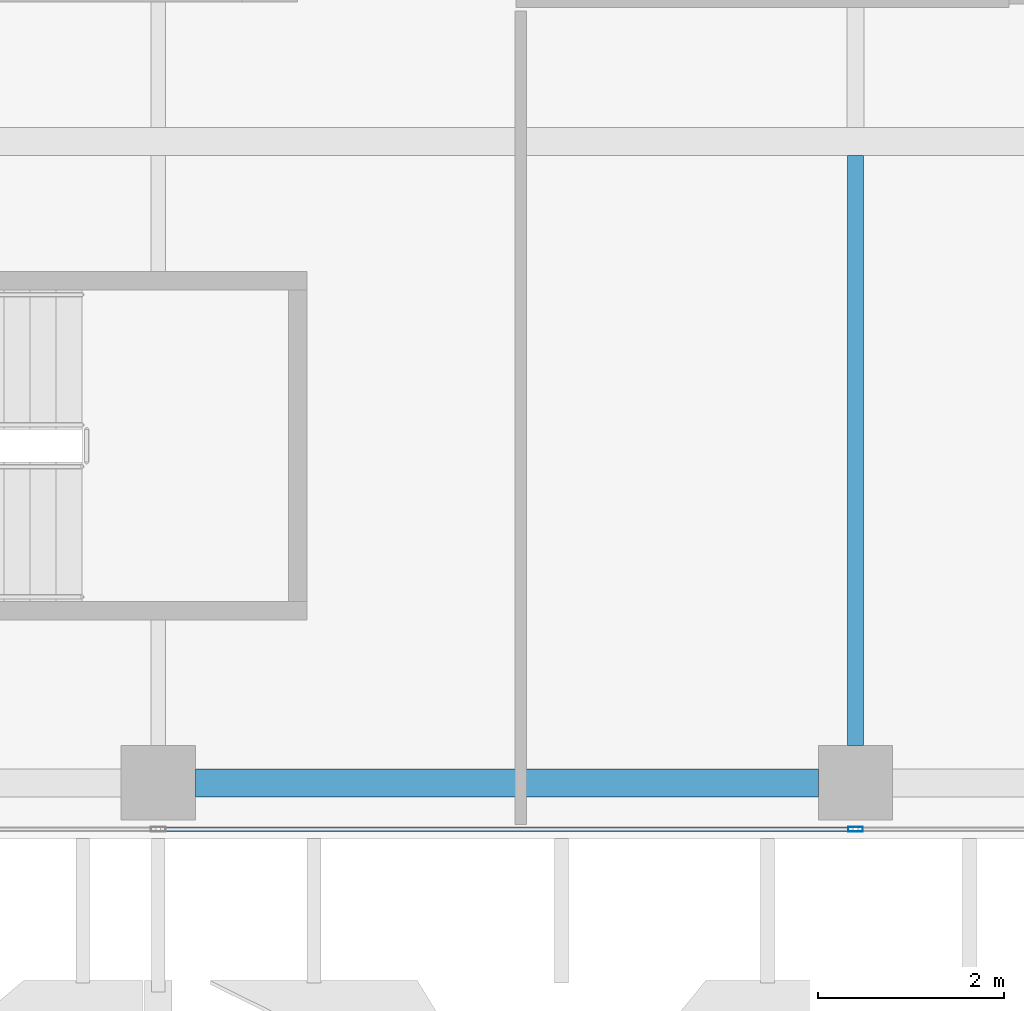
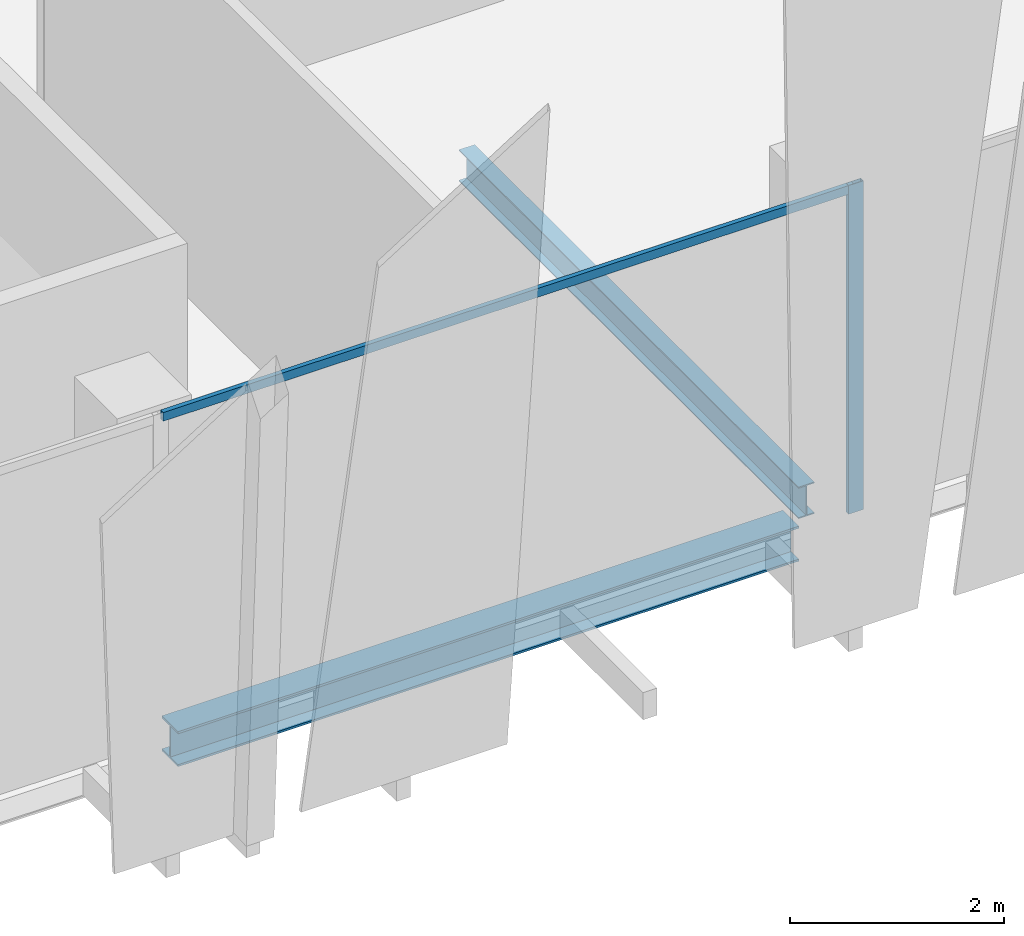
# One storey, part 5 of 33: 2 beams, 2 members, 1 element without a shape of its own.
"""IFC4 building model written with IfcOpenShell, lengths in metres."""

from ifc_helpers import new_model, si_unit, direction, frame, origin, origin_2d, place, context, subcontext, project, spatial, hollow_rectangle, i_section, extrude, source, transform, mapped, material, material_profile, profile_set, type_object, element, aggregate, save


model = new_model("IFC4")

# Units and contexts
model_context = context("Model", 3, precision=1e-05, world=origin(), true_north=direction((0.0, 1.0)))
body_context = subcontext(model_context, "Body", "Model", "MODEL_VIEW")
ifc_project = project(units=[si_unit("LENGTHUNIT", "METRE"), si_unit("AREAUNIT", "SQUARE_METRE"), si_unit("VOLUMEUNIT", "CUBIC_METRE"), si_unit("PLANEANGLEUNIT", "RADIAN"), si_unit("MASSUNIT", "GRAM", prefix="KILO")], contexts=[model_context])

# Site, building, storey
site_placement = place(None, origin())
site = spatial("IfcSite", under=ifc_project, at=site_placement, CompositionType="ELEMENT")
building_placement = place(site_placement, origin())
building = spatial("IfcBuilding", under=site, at=building_placement, Name="Khomas Fold Tower", CompositionType="ELEMENT")
storey_placement = place(building_placement, frame((0.0, 0.0, 294.199951171875)))
storey = spatial("IfcBuildingStorey", under=building, at=storey_placement, Name="L66", CompositionType="ELEMENT", Elevation=294.199951171875)

# Beams
ifc_material_1 = material(Name="Steel S355", Category="steel")
ifc_material_profile_1 = material_profile(ifc_material_1, i_section(OverallWidth=0.300048828125, OverallDepth=0.39990234375, WebThickness=0.013427734375, FlangeThickness=0.02392578125, at=origin_2d()), Name="HE 400 B")
ifc_profile_set_1 = profile_set([ifc_material_profile_1], Name="Steel S355")
beam_type_1 = type_object("IfcBeamType", Name="HE 400 B spandrel SB5", PredefinedType="SPANDREL", material=ifc_profile_set_1)
shared_shape_1 = source(origin(), body_context, "Body", "SweptSolid", [
    extrude(i_section(OverallWidth=0.300048828125, OverallDepth=0.39990234375, WebThickness=0.013427734375, FlangeThickness=0.02392578125, at=origin_2d()), origin(), (0.0, 0.0, 1.0), 6.7001953125),
])
beam_1_placement = place(storey_placement, frame((19.89990234375, 6.60009765625, -0.449951171875), z_axis=(1.0, 0.0, 0.0), x_axis=(0.0, 1.0, 0.0)))
element("IfcBeam", 1, at=beam_1_placement, inside=storey, type_object=beam_type_1, Name="SB5", PredefinedType="SPANDREL", context=body_context, shape_type="MappedRepresentation", body=[
    mapped(shared_shape_1, transform((0.0, 0.0, 0.0))),
])
ifc_material_2 = material(Name="Steel S355", Category="steel")
ifc_material_profile_2 = material_profile(ifc_material_2, i_section(OverallWidth=0.169921875, OverallDepth=0.360107421875, WebThickness=0.008056640625, FlangeThickness=0.0126953125, at=origin_2d()), Name="IPE 360")
ifc_profile_set_2 = profile_set([ifc_material_profile_2], Name="Steel S355")
beam_type_2 = type_object("IfcBeamType", Name="IPE 360 beam JB2", PredefinedType="BEAM", material=ifc_profile_set_2)
shared_shape_2 = source(origin(), body_context, "Body", "SweptSolid", [
    extrude(i_section(OverallWidth=0.169921875, OverallDepth=0.360107421875, WebThickness=0.008056640625, FlangeThickness=0.0126953125, at=origin_2d()), origin(), (0.0, 0.0, 1.0), 6.35009765625),
])
beam_2_placement = place(storey_placement, frame((27.0, 7.0, -0.429931640625), z_axis=(0.0, 1.0, 0.0), x_axis=(-1.0, 0.0, 0.0)))
element("IfcBeam", 2, at=beam_2_placement, inside=storey, type_object=beam_type_2, Name="JB2", PredefinedType="BEAM", context=body_context, shape_type="MappedRepresentation", body=[
    mapped(shared_shape_2, transform((0.0, 0.0, 0.0))),
])

# Curtain wall, members
ifc_material_3 = material(Name="Aluminium framed double glazing", Category="aluminium")
curtain_wall_type = type_object("IfcCurtainWallType", Name="SK-Unitised clear-glass wall, upper floors CW3", PredefinedType="NOTDEFINED", material=ifc_material_3)
curtain_wall_placement = place(storey_placement, origin())
curtain_wall = element("IfcCurtainWall", 3, at=curtain_wall_placement, inside=storey, type_object=curtain_wall_type, Name="CW3 run L66 00-0", PredefinedType="NOTDEFINED")
ifc_material_4 = material(Name="Aluminium", Category="aluminium")
ifc_material_profile_3 = material_profile(ifc_material_4, hollow_rectangle(XDim=0.050048828125, YDim=0.159912109375, WallThickness=0.00390625, at=origin_2d()), Name="SK-Unitised clear-glass wall, upper floors mullion CW3-M")
ifc_profile_set_3 = profile_set([ifc_material_profile_3], Name="Aluminium")
member_type_1 = type_object("IfcMemberType", Name="SK-Unitised clear-glass wall, upper floors mullion CW3-M", PredefinedType="MULLION", material=ifc_profile_set_3)
shared_shape_3 = source(origin(), body_context, "Body", "SweptSolid", [
    extrude(hollow_rectangle(XDim=0.050048828125, YDim=0.159912109375, WallThickness=0.00390625, at=origin_2d()), origin(), (0.0, 0.0, 1.0), 3.75),
])
member_1_placement = place(storey_placement, frame((27.0, 6.10009765625, 0.0), z_axis=(0.0, 0.0, 1.0), x_axis=(0.0, 1.0, 0.0)))
member_1 = element("IfcMember", 4, at=member_1_placement, type_object=member_type_1, Name="CW3 mullion 4", PredefinedType="MULLION", context=body_context, shape_type="MappedRepresentation", body=[
    mapped(shared_shape_3, transform((0.0, 0.0, 0.0))),
])
ifc_material_5 = material(Name="Aluminium", Category="aluminium")
ifc_material_profile_4 = material_profile(ifc_material_5, hollow_rectangle(XDim=0.050048828125, YDim=0.10009765625, WallThickness=0.00390625, at=origin_2d()), Name="SK-Unitised clear-glass wall, upper floors transom CW3-T")
ifc_profile_set_4 = profile_set([ifc_material_profile_4], Name="Aluminium")
member_type_2 = type_object("IfcMemberType", Name="SK-Unitised clear-glass wall, upper floors transom CW3-T", PredefinedType="USERDEFINED", material=ifc_profile_set_4)
shared_shape_4 = source(origin(), body_context, "Body", "SweptSolid", [
    extrude(hollow_rectangle(XDim=0.050048828125, YDim=0.10009765625, WallThickness=0.00390625, at=origin_2d()), origin(), (0.0, 0.0, 1.0), 7.4501953125),
])
member_2_placement = place(storey_placement, frame((19.52490234375, 6.10009765625, 3.699951171875), z_axis=(1.0, 0.0, 0.0), x_axis=(0.0, 1.0, 0.0)))
member_2 = element("IfcMember", 5, at=member_2_placement, type_object=member_type_2, Name="CW3 transom 3", ObjectType="TRANSOM", PredefinedType="USERDEFINED", context=body_context, shape_type="MappedRepresentation", body=[
    mapped(shared_shape_4, transform((0.0, 0.0, 0.0))),
])
aggregate(curtain_wall, [member_1, member_2])

save(model, "model.ifc")
